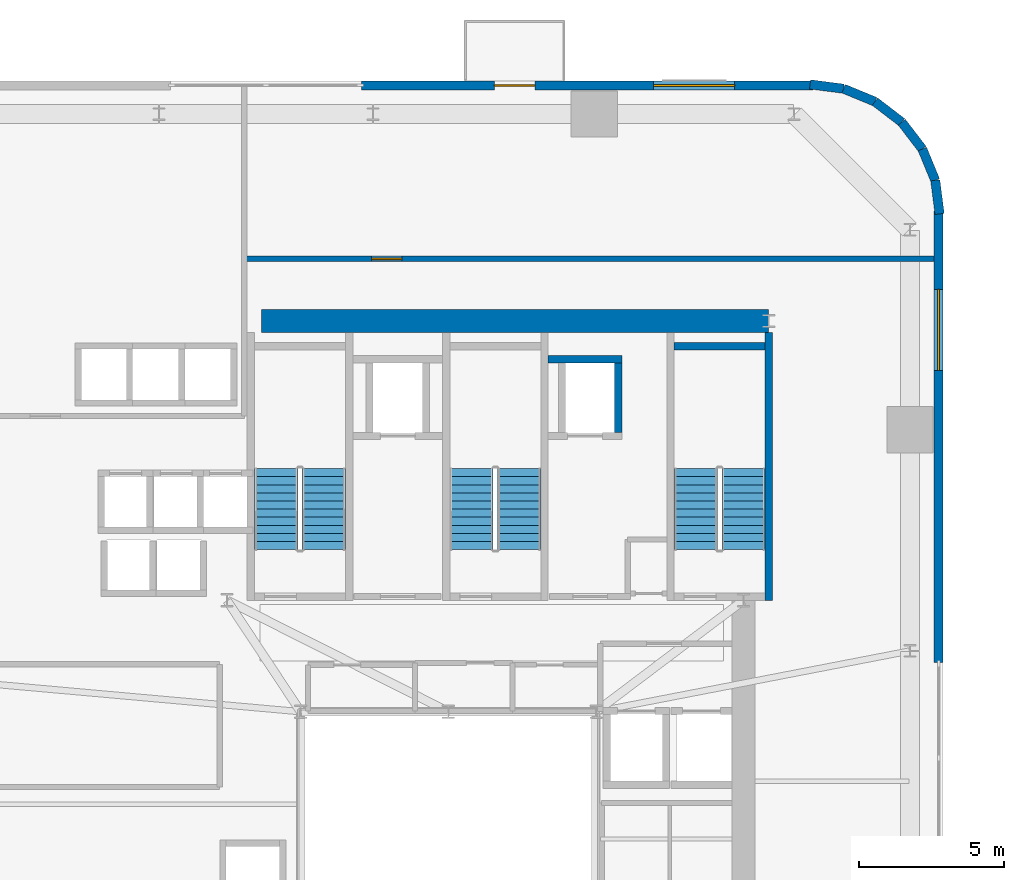
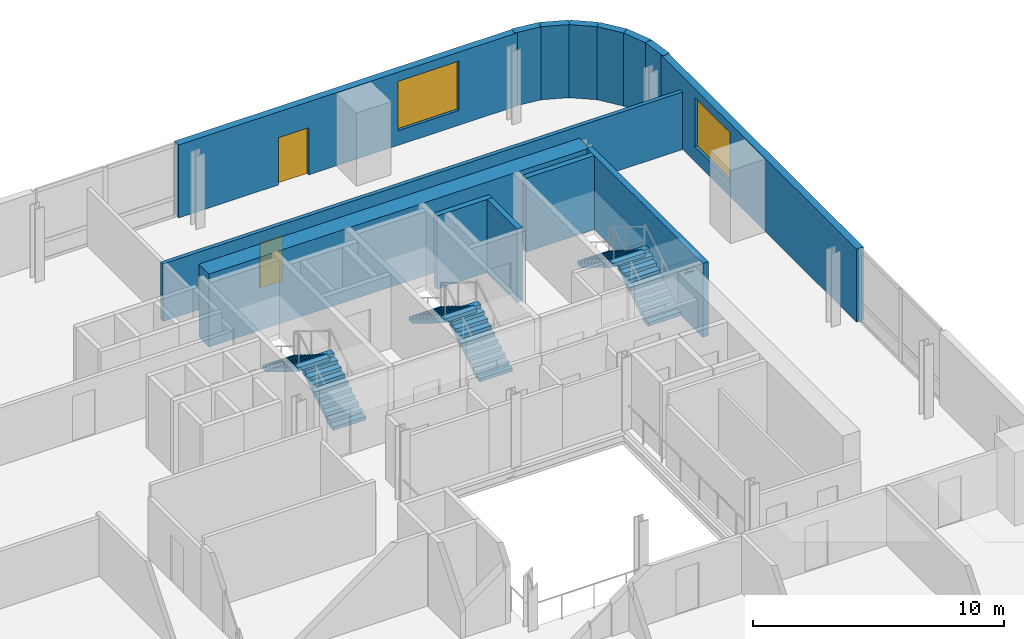
# One storey, part 9 of 14: 14 walls, 6 stair flights, 2 doors, 2 windows, 4 openings, 3 elements without a shape of their own.
"""IFC4 building model written with IfcOpenShell, lengths in metres."""

from ifc_helpers import new_model, si_unit, direction, frame, frame_2d, origin, place, context, subcontext, project, spatial, polyline, rectangle, outline, extrude, source, transform, mapped, material, layer, layer_set, type_object, element, fill, aggregate, save


model = new_model("IFC4")

# Units and contexts
model_context = context("Model", 3, precision=1e-05, world=origin(), true_north=direction((0.0, 1.0)))
body_context = subcontext(model_context, "Body", "Model", "MODEL_VIEW")
ifc_project = project(units=[si_unit("LENGTHUNIT", "METRE"), si_unit("AREAUNIT", "SQUARE_METRE"), si_unit("VOLUMEUNIT", "CUBIC_METRE"), si_unit("PLANEANGLEUNIT", "RADIAN"), si_unit("MASSUNIT", "GRAM", prefix="KILO")], contexts=[model_context])

# Site, building, storey
site_placement = place(None, origin())
site = spatial("IfcSite", under=ifc_project, at=site_placement, CompositionType="ELEMENT")
building_placement = place(site_placement, origin())
building = spatial("IfcBuilding", under=site, at=building_placement, Name="Vardaveli Station Tower", CompositionType="ELEMENT")
storey_placement = place(building_placement, frame((0.0, 0.0, 103.699951171875)))
storey = spatial("IfcBuildingStorey", under=building, at=storey_placement, Name="L26", CompositionType="ELEMENT", Elevation=103.699951171875)

# Wall
ifc_material_1 = material(Name="Concrete C50/60", Category="concrete")
ifc_layer_1 = layer(ifc_material_1, 0.800048828125, Name="Concrete C50/60")
ifc_layer_set_1 = layer_set([ifc_layer_1], Name="Concrete C50/60")
wall_type_1 = type_object("IfcWallType", Name="WAL-CORE-800", PredefinedType="SHEAR", material=ifc_layer_set_1)
shared_shape_1 = source(origin(), body_context, "Body", "SweptSolid", [
    extrude(rectangle(XDim=17.52001953125, YDim=0.800048828125, at=frame_2d((8.760009765625, 0.0))), origin(), (0.0, 0.0, 1.0), 3.56005859375),
])
wall_1_placement = place(storey_placement, frame((29.85009765625, 40.300048828125, 0.0), z_axis=(0.0, 0.0, 1.0), x_axis=(1.0, 0.0, 0.0)))
element("IfcWall", 1, at=wall_1_placement, inside=storey, type_object=wall_type_1, Name="SW-L26-NORTH", PredefinedType="SHEAR", context=body_context, shape_type="MappedRepresentation", body=[
    mapped(shared_shape_1, transform((0.0, 0.0, 0.0), scale=1.0)),
])

# Wall, openings, door, window
ifc_material_2 = material(Name="Precast concrete C45/55", Category="concrete")
ifc_layer_2 = layer(ifc_material_2, 0.320068359375, Name="Precast concrete C45/55")
ifc_layer_set_2 = layer_set([ifc_layer_2], Name="Precast concrete C45/55")
wall_type_2 = type_object("IfcWallType", Name="WAL-EXT-STONE-320", PredefinedType="SOLIDWALL", material=ifc_layer_set_2)
shared_shape_2 = source(origin(), body_context, "Body", "SweptSolid", [
    extrude(rectangle(XDim=15.599853515625, YDim=0.320068359375, at=frame_2d((7.7998046875, 0.0))), origin(), (0.0, 0.0, 1.0), 3.56005859375),
])
wall_2_placement = place(storey_placement, frame((48.89990234375, 48.43994140625, 0.0), z_axis=(0.0, 0.0, 1.0), x_axis=(-1.0, 0.0, 0.0)))
wall_2 = element("IfcWall", 2, at=wall_2_placement, inside=storey, type_object=wall_type_2, Name="EW-L26-N1", PredefinedType="SOLIDWALL", context=body_context, shape_type="MappedRepresentation", body=[
    mapped(shared_shape_2, transform((0.0, 0.0, 0.0), scale=1.0)),
])
shared_shape_3 = source(origin(), body_context, "Body", "SweptSolid", [
    extrude(rectangle(XDim=1.39990234375, YDim=2.300048828125, at=frame_2d((0.699951171875, 1.14990234375))), frame((0.0, 0.169921875, 0.0), z_axis=(0.0, -1.0, 0.0), x_axis=(1.0, 0.0, 0.0)), (0.0, 0.0, 1.0), 0.340087890625),
])
opening_1_placement = place(wall_2_placement, frame((9.6103515625, 0.0, 0.0)))
opening_1 = element("IfcOpeningElement", 3, at=opening_1_placement, cuts=wall_2, Name="Opening D-09", PredefinedType="OPENING", context=body_context, shape_type="MappedRepresentation", body=[
    mapped(shared_shape_3, transform((0.0, 0.0, 0.0), scale=1.0)),
])
shared_shape_4 = source(origin(), body_context, "Body", "SweptSolid", [
    extrude(rectangle(XDim=2.800048828125, YDim=2.39990234375, at=frame_2d((1.39990234375, 1.199951171875))), frame((0.0, 0.169921875, 0.0), z_axis=(0.0, -1.0, 0.0), x_axis=(1.0, 0.0, 0.0)), (0.0, 0.0, 1.0), 0.340087890625),
])
opening_2_placement = place(wall_2_placement, frame((2.705078125, 0.0, 0.719970703125)))
opening_2 = element("IfcOpeningElement", 4, at=opening_2_placement, cuts=wall_2, Name="Opening W-04", PredefinedType="OPENING", context=body_context, shape_type="MappedRepresentation", body=[
    mapped(shared_shape_4, transform((0.0, 0.0, 0.0), scale=1.0)),
])
ifc_material_3 = material(Name="Thermally broken aluminium glass", Category="aluminium")
door_type_1 = type_object("IfcDoorType", Name="DR-LOG-1400x2300", OperationType="DOUBLE_DOOR_SLIDING", PredefinedType="DOOR", material=ifc_material_3)
shared_shape_5 = source(origin(), body_context, "Body", "SweptSolid", [
    extrude(rectangle(XDim=1.39990234375, YDim=2.300048828125, at=frame_2d((0.699951171875, 1.14990234375))), frame((0.0, 0.02490234375, 0.0), z_axis=(0.0, -1.0, 0.0), x_axis=(1.0, 0.0, 0.0)), (0.0, 0.0, 1.0), 0.050048828125),
])
door_1_placement = place(opening_1_placement, frame((1.39990234375, 0.0, 0.0), z_axis=(0.0, 0.0, 1.0), x_axis=(-1.0, 0.0, 0.0)))
door_1 = element("IfcDoor", 5, at=door_1_placement, inside=storey, type_object=door_type_1, Name="DLG-L26-N", OperationType="DOUBLE_DOOR_SLIDING", OverallHeight=2.300048828125, OverallWidth=1.39990234375, PredefinedType="DOOR", context=body_context, shape_type="MappedRepresentation", body=[
    mapped(shared_shape_5, transform((0.0, 0.0, 0.0), scale=1.0)),
])
fill(opening_1, door_1)
ifc_material_4 = material(Name="Low-E solar-control glass", Category="glass")
window_type = type_object("IfcWindowType", Name="WIN-SUITE-2800x2400", PartitioningType="SINGLE_PANEL", PredefinedType="WINDOW", material=ifc_material_4)
shared_shape_6 = source(origin(), body_context, "Body", "SweptSolid", [
    extrude(rectangle(XDim=2.800048828125, YDim=2.39990234375, at=frame_2d((1.39990234375, 1.199951171875))), frame((0.0, 0.030029296875, 0.0), z_axis=(0.0, -1.0, 0.0), x_axis=(1.0, 0.0, 0.0)), (0.0, 0.0, 1.0), 0.06005859375),
])
window_1_placement = place(opening_2_placement, origin())
window_1 = element("IfcWindow", 6, at=window_1_placement, inside=storey, type_object=window_type, Name="WN-L26-N1", OverallHeight=2.39990234375, OverallWidth=2.800048828125, PartitioningType="SINGLE_PANEL", PredefinedType="WINDOW", context=body_context, shape_type="MappedRepresentation", body=[
    mapped(shared_shape_6, transform((0.0, 0.0, 0.0), scale=1.0)),
])
fill(opening_2, window_1)

# Wall, opening, window
shared_shape_7 = source(origin(), body_context, "Body", "SweptSolid", [
    extrude(rectangle(XDim=15.60009765625, YDim=0.320068359375, at=frame_2d((7.800048828125, 0.0))), origin(), (0.0, 0.0, 1.0), 3.56005859375),
])
wall_3_placement = place(storey_placement, frame((53.239990234375, 28.5, 0.0), z_axis=(0.0, 0.0, 1.0), x_axis=(0.0, 1.0, 0.0)))
wall_3 = element("IfcWall", 7, at=wall_3_placement, inside=storey, type_object=wall_type_2, Name="EW-L26-E2", PredefinedType="SOLIDWALL", context=body_context, shape_type="MappedRepresentation", body=[
    mapped(shared_shape_7, transform((0.0, 0.0, 0.0), scale=1.0)),
])
opening_3_placement = place(wall_3_placement, frame((10.094970703125, 0.0, 0.719970703125)))
opening_3 = element("IfcOpeningElement", 8, at=opening_3_placement, cuts=wall_3, Name="Opening W-04", PredefinedType="OPENING", context=body_context, shape_type="MappedRepresentation", body=[
    mapped(shared_shape_4, transform((0.0, 0.0, 0.0), scale=1.0)),
])
window_2_placement = place(opening_3_placement, origin())
window_2 = element("IfcWindow", 9, at=window_2_placement, inside=storey, type_object=window_type, Name="WN-L26-E2", OverallHeight=2.39990234375, OverallWidth=2.800048828125, PartitioningType="SINGLE_PANEL", PredefinedType="WINDOW", context=body_context, shape_type="MappedRepresentation", body=[
    mapped(shared_shape_6, transform((0.0, 0.0, 0.0), scale=1.0)),
])
fill(opening_3, window_2)

# Walls
shared_shape_8 = source(origin(), body_context, "Body", "SweptSolid", [
    extrude(rectangle(XDim=1.1689453125, YDim=0.320068359375, at=frame_2d((0.58447265625, 0.0))), origin(), (0.0, 0.0, 1.0), 3.56005859375),
])
wall_4_placement = place(storey_placement, frame((52.679931640625, 46.2412109375, 0.0), z_axis=(0.0, 0.0, 1.0), x_axis=(-0.608387696831, 0.793639975269, 0.0)))
element("IfcWall", 10, at=wall_4_placement, inside=storey, type_object=wall_type_2, Name="EW-L26-CR3-3", PredefinedType="SOLIDWALL", context=body_context, shape_type="MappedRepresentation", body=[
    mapped(shared_shape_8, transform((0.0, 0.0, 0.0), scale=1.0)),
])
shared_shape_9 = source(origin(), body_context, "Body", "SweptSolid", [
    extrude(rectangle(XDim=1.168701171875, YDim=0.320068359375, at=frame_2d((0.58447265625, 0.0))), origin(), (0.0, 0.0, 1.0), 3.56005859375),
])
wall_5_placement = place(storey_placement, frame((51.96875, 47.1689453125, 0.0), z_axis=(0.0, 0.0, 1.0), x_axis=(-0.793663520347, 0.608356981114, 0.0)))
element("IfcWall", 11, at=wall_5_placement, inside=storey, type_object=wall_type_2, Name="EW-L26-CR3-4", PredefinedType="SOLIDWALL", context=body_context, shape_type="MappedRepresentation", body=[
    mapped(shared_shape_9, transform((0.0, 0.0, 0.0), scale=1.0)),
])
shared_shape_10 = source(origin(), body_context, "Body", "SweptSolid", [
    extrude(rectangle(XDim=1.17041015625, YDim=0.320068359375, at=frame_2d((0.585205078125, 0.0))), origin(), (0.0, 0.0, 1.0), 3.56005859375),
])
for number, where, z_axis, x_axis, name in (
    (12, (53.275634765625, 43.99951171875, 0.0), (0.0, 0.0, 1.0), (-0.128295670475, 0.991735963317, 0.0), "EW-L26-CR3-1"),
    (13, (49.960205078125, 48.325439453125, 0.0), (0.0, 0.0, 1.0), (-0.991735963317, 0.128295670475, 0.0), "EW-L26-CR3-6"),
):
    element("IfcWall", number, at=place(storey_placement, frame(where, z_axis=z_axis, x_axis=x_axis)), inside=storey, type_object=wall_type_2, Name=name, PredefinedType="SOLIDWALL", context=body_context, shape_type="MappedRepresentation", body=[
        mapped(shared_shape_10, transform((0.0, 0.0, 0.0), scale=1.0)),
    ])
shared_shape_11 = source(origin(), body_context, "Body", "SweptSolid", [
    extrude(rectangle(XDim=1.169189453125, YDim=0.320068359375, at=frame_2d((0.58447265625, 0.0))), origin(), (0.0, 0.0, 1.0), 3.56005859375),
])
for number, where, z_axis, x_axis, name in (
    (14, (53.12548828125, 45.16015625, 0.0), (0.0, 0.0, 1.0), (-0.381054331552, 0.924552646638, 0.0), "EW-L26-CR3-2"),
    (15, (51.041259765625, 47.8798828125, 0.0), (0.0, 0.0, 1.0), (-0.924552646638, 0.381054331552, 0.0), "EW-L26-CR3-5"),
):
    element("IfcWall", number, at=place(storey_placement, frame(where, z_axis=z_axis, x_axis=x_axis)), inside=storey, type_object=wall_type_2, Name=name, PredefinedType="SOLIDWALL", context=body_context, shape_type="MappedRepresentation", body=[
        mapped(shared_shape_11, transform((0.0, 0.0, 0.0), scale=1.0)),
    ])
ifc_material_5 = material(Name="Concrete C40/50", Category="concrete")
ifc_layer_3 = layer(ifc_material_5, 0.25, Name="Concrete C40/50")
ifc_layer_set_3 = layer_set([ifc_layer_3], Name="Concrete C40/50")
wall_type_3 = type_object("IfcWallType", Name="WAL-SHAFT-250", PredefinedType="SOLIDWALL", material=ifc_layer_set_3)
shared_shape_12 = source(origin(), body_context, "Body", "SweptSolid", [
    extrude(rectangle(XDim=9.25, YDim=0.25, at=frame_2d((4.625, 0.0))), origin(), (0.0, 0.0, 1.0), 3.60009765625),
])
wall_6_placement = place(storey_placement, frame((47.375, 30.64990234375, 0.0), z_axis=(0.0, 0.0, 1.0), x_axis=(0.0, 1.0, 0.0)))
element("IfcWall", 16, at=wall_6_placement, inside=storey, type_object=wall_type_3, Name="W-L26-ST-3E", PredefinedType="SOLIDWALL", context=body_context, shape_type="MappedRepresentation", body=[
    mapped(shared_shape_12, transform((0.0, 0.0, 0.0), scale=1.0)),
])
shared_shape_13 = source(origin(), body_context, "Body", "SweptSolid", [
    extrude(rectangle(XDim=3.14990234375, YDim=0.25, at=frame_2d((1.574951171875, 0.0))), origin(), (0.0, 0.0, 1.0), 3.60009765625),
])
wall_7_placement = place(storey_placement, frame((44.10009765625, 39.425048828125, 0.0), z_axis=(0.0, 0.0, 1.0), x_axis=(1.0, 0.0, 0.0)))
element("IfcWall", 17, at=wall_7_placement, inside=storey, type_object=wall_type_3, Name="W-L26-ST-3N", PredefinedType="SOLIDWALL", context=body_context, shape_type="MappedRepresentation", body=[
    mapped(shared_shape_13, transform((0.0, 0.0, 0.0), scale=1.0)),
])
shared_shape_14 = source(origin(), body_context, "Body", "SweptSolid", [
    extrude(rectangle(XDim=2.400146484375, YDim=0.25, at=frame_2d((1.2001953125, 0.0))), origin(), (0.0, 0.0, 1.0), 3.56005859375),
])
wall_8_placement = place(storey_placement, frame((42.175048828125, 36.449951171875, 0.0), z_axis=(0.0, 0.0, 1.0), x_axis=(0.0, 1.0, 0.0)))
element("IfcWall", 18, at=wall_8_placement, inside=storey, type_object=wall_type_3, Name="SHW-FFL-02-L26-E", PredefinedType="SOLIDWALL", context=body_context, shape_type="MappedRepresentation", body=[
    mapped(shared_shape_14, transform((0.0, 0.0, 0.0), scale=1.0)),
])
shared_shape_15 = source(origin(), body_context, "Body", "SweptSolid", [
    extrude(rectangle(XDim=2.550048828125, YDim=0.25, at=frame_2d((1.27490234375, 0.0))), origin(), (0.0, 0.0, 1.0), 3.56005859375),
])
wall_9_placement = place(storey_placement, frame((39.75, 38.97509765625, 0.0), z_axis=(0.0, 0.0, 1.0), x_axis=(1.0, 0.0, 0.0)))
element("IfcWall", 19, at=wall_9_placement, inside=storey, type_object=wall_type_3, Name="SHW-FFL-02-L26-N", PredefinedType="SOLIDWALL", context=body_context, shape_type="MappedRepresentation", body=[
    mapped(shared_shape_15, transform((0.0, 0.0, 0.0), scale=1.0)),
])

# Wall, opening, door
ifc_material_6 = material(Name="Fire-rated gypsum stud partition")
ifc_layer_4 = layer(ifc_material_6, 0.179931640625, Name="Fire-rated gypsum stud partition")
ifc_layer_set_4 = layer_set([ifc_layer_4], Name="Fire-rated gypsum stud partition")
wall_type_4 = type_object("IfcWallType", Name="WAL-CORR-180", PredefinedType="PARTITIONING", material=ifc_layer_set_4)
shared_shape_16 = source(origin(), body_context, "Body", "SweptSolid", [
    extrude(rectangle(XDim=23.927978515625, YDim=0.179931640625, at=frame_2d((11.9638671875, 0.0))), origin(), (0.0, 0.0, 1.0), 2.802001953125),
])
wall_10_placement = place(storey_placement, frame((29.14990234375, 42.449951171875, 0.0), z_axis=(0.0, 0.0, 1.0), x_axis=(1.0, 0.0, 0.0)))
wall_10 = element("IfcWall", 20, at=wall_10_placement, inside=storey, type_object=wall_type_4, Name="W-L26-NPS", PredefinedType="PARTITIONING", context=body_context, shape_type="MappedRepresentation", body=[
    mapped(shared_shape_16, transform((0.0, 0.0, 0.0), scale=1.0)),
])
shared_shape_17 = source(origin(), body_context, "Body", "SweptSolid", [
    extrude(rectangle(XDim=1.050048828125, YDim=2.199951171875, at=frame_2d((0.52490234375, 1.10009765625))), frame((0.0, 0.10009765625, 0.0), z_axis=(0.0, -1.0, 0.0), x_axis=(1.0, 0.0, 0.0)), (0.0, 0.0, 1.0), 0.199951171875),
])
opening_4_placement = place(wall_10_placement, frame((4.5, 0.0, 0.0)))
opening_4 = element("IfcOpeningElement", 21, at=opening_4_placement, cuts=wall_10, Name="Opening D-05", PredefinedType="OPENING", context=body_context, shape_type="MappedRepresentation", body=[
    mapped(shared_shape_17, transform((0.0, 0.0, 0.0), scale=1.0)),
])
ifc_material_7 = material(Name="Walnut veneer acoustic fire door")
door_type_2 = type_object("IfcDoorType", Name="DR-SUITE-1050x2200", OperationType="NOTDEFINED", PredefinedType="DOOR", material=ifc_material_7)
shared_shape_18 = source(origin(), body_context, "Body", "SweptSolid", [
    extrude(rectangle(XDim=1.050048828125, YDim=2.199951171875, at=frame_2d((0.52490234375, 1.10009765625))), frame((0.0, 0.02490234375, 0.0), z_axis=(0.0, -1.0, 0.0), x_axis=(1.0, 0.0, 0.0)), (0.0, 0.0, 1.0), 0.050048828125),
])
door_2_placement = place(opening_4_placement, origin())
door_2 = element("IfcDoor", 22, at=door_2_placement, inside=storey, type_object=door_type_2, Name="D-L26-NP1", OperationType="SINGLE_SWING_LEFT", OverallHeight=2.199951171875, OverallWidth=1.050048828125, PredefinedType="DOOR", context=body_context, shape_type="MappedRepresentation", body=[
    mapped(shared_shape_18, transform((0.0, 0.0, 0.0), scale=1.0)),
])
fill(opening_4, door_2)

# Stair, stair flights
stair_type = type_object("IfcStairType", Name="STR-CORE-1500", PredefinedType="HALF_TURN_STAIR", material=ifc_material_5)
stair_1_placement = place(storey_placement, origin())
stair_1 = element("IfcStair", 23, at=stair_1_placement, inside=storey, type_object=stair_type, Name="L26 ST-1", PredefinedType="HALF_TURN_STAIR")
stair_flight_type = type_object("IfcStairFlightType", Name="SFL-CORE-1500", PredefinedType="STRAIGHT", material=ifc_material_5)
shared_shape_19 = source(origin(), body_context, "Body", "SweptSolid", [
    extrude(outline(polyline([(0.0, 0.0), (0.0, 0.172607421875), (0.280029296875, 0.172607421875), (0.280029296875, 0.345458984375), (0.56005859375, 0.345458984375), (0.56005859375, 0.51806640625), (0.840087890625, 0.51806640625), (0.840087890625, 0.69091796875), (1.1201171875, 0.69091796875), (1.1201171875, 0.863525390625), (1.39990234375, 0.863525390625), (1.39990234375, 1.036376953125), (1.679931640625, 1.036376953125), (1.679931640625, 1.208984375), (1.9599609375, 1.208984375), (1.9599609375, 1.3818359375), (2.239990234375, 1.3818359375), (2.239990234375, 1.554443359375), (2.52001953125, 1.554443359375), (2.52001953125, 1.727294921875), (2.800048828125, 1.727294921875), (2.800048828125, 1.89990234375), (2.800048828125, 1.551025390625), (0.285400390625, 0.0), (0.0, 0.0)])), frame((0.0, 0.75, 0.0), z_axis=(0.0, -1.0, 0.0), x_axis=(1.0, 0.0, 0.0)), (0.0, 0.0, 1.0), 1.5),
])
stair_flight_1_placement = place(storey_placement, frame((32.0, 32.39990234375, 0.0), z_axis=(0.0, 0.0, 1.0), x_axis=(0.0, 1.0, 0.0)))
stair_flight_1 = element("IfcStairFlight", 24, at=stair_flight_1_placement, type_object=stair_flight_type, Name="ST-1 flight 1", NumberOfRisers=11, NumberOfTreads=10, PredefinedType="STRAIGHT", RiserHeight=0.172727273, TreadLength=0.28, context=body_context, shape_type="MappedRepresentation", body=[
    mapped(shared_shape_19, transform((0.0, 0.0, 0.0), scale=1.0)),
])
stair_flight_2_placement = place(storey_placement, frame((30.35009765625, 35.199951171875, 1.900146484375), z_axis=(0.0, 0.0, 1.0), x_axis=(0.0, -1.0, 0.0)))
stair_flight_2 = element("IfcStairFlight", 25, at=stair_flight_2_placement, type_object=stair_flight_type, Name="ST-1 flight 2", NumberOfRisers=11, NumberOfTreads=10, PredefinedType="STRAIGHT", RiserHeight=0.172727273, TreadLength=0.28, context=body_context, shape_type="MappedRepresentation", body=[
    mapped(shared_shape_19, transform((0.0, 0.0, 0.0), scale=1.0)),
])
aggregate(stair_1, [stair_flight_1, stair_flight_2])

stair_2_placement = place(storey_placement, origin())
stair_2 = element("IfcStair", 26, at=stair_2_placement, inside=storey, type_object=stair_type, Name="L26 ST-2", PredefinedType="HALF_TURN_STAIR")
stair_flight_3_placement = place(storey_placement, frame((38.75, 32.39990234375, 0.0), z_axis=(0.0, 0.0, 1.0), x_axis=(0.0, 1.0, 0.0)))
stair_flight_3 = element("IfcStairFlight", 27, at=stair_flight_3_placement, type_object=stair_flight_type, Name="ST-2 flight 1", NumberOfRisers=11, NumberOfTreads=10, PredefinedType="STRAIGHT", RiserHeight=0.172727273, TreadLength=0.28, context=body_context, shape_type="MappedRepresentation", body=[
    mapped(shared_shape_19, transform((0.0, 0.0, 0.0), scale=1.0)),
])
stair_flight_4_placement = place(storey_placement, frame((37.10009765625, 35.199951171875, 1.900146484375), z_axis=(0.0, 0.0, 1.0), x_axis=(0.0, -1.0, 0.0)))
stair_flight_4 = element("IfcStairFlight", 28, at=stair_flight_4_placement, type_object=stair_flight_type, Name="ST-2 flight 2", NumberOfRisers=11, NumberOfTreads=10, PredefinedType="STRAIGHT", RiserHeight=0.172727273, TreadLength=0.28, context=body_context, shape_type="MappedRepresentation", body=[
    mapped(shared_shape_19, transform((0.0, 0.0, 0.0), scale=1.0)),
])
aggregate(stair_2, [stair_flight_3, stair_flight_4])

stair_3_placement = place(storey_placement, origin())
stair_3 = element("IfcStair", 29, at=stair_3_placement, inside=storey, type_object=stair_type, Name="L26 ST-3", PredefinedType="HALF_TURN_STAIR")
stair_flight_5_placement = place(storey_placement, frame((46.5, 32.39990234375, 0.0), z_axis=(0.0, 0.0, 1.0), x_axis=(0.0, 1.0, 0.0)))
stair_flight_5 = element("IfcStairFlight", 30, at=stair_flight_5_placement, type_object=stair_flight_type, Name="ST-3 flight 1", NumberOfRisers=11, NumberOfTreads=10, PredefinedType="STRAIGHT", RiserHeight=0.172727273, TreadLength=0.28, context=body_context, shape_type="MappedRepresentation", body=[
    mapped(shared_shape_19, transform((0.0, 0.0, 0.0), scale=1.0)),
])
stair_flight_6_placement = place(storey_placement, frame((44.85009765625, 35.199951171875, 1.900146484375), z_axis=(0.0, 0.0, 1.0), x_axis=(0.0, -1.0, 0.0)))
stair_flight_6 = element("IfcStairFlight", 31, at=stair_flight_6_placement, type_object=stair_flight_type, Name="ST-3 flight 2", NumberOfRisers=11, NumberOfTreads=10, PredefinedType="STRAIGHT", RiserHeight=0.172727273, TreadLength=0.28, context=body_context, shape_type="MappedRepresentation", body=[
    mapped(shared_shape_19, transform((0.0, 0.0, 0.0), scale=1.0)),
])
aggregate(stair_3, [stair_flight_5, stair_flight_6])

save(model, "model.ifc")
